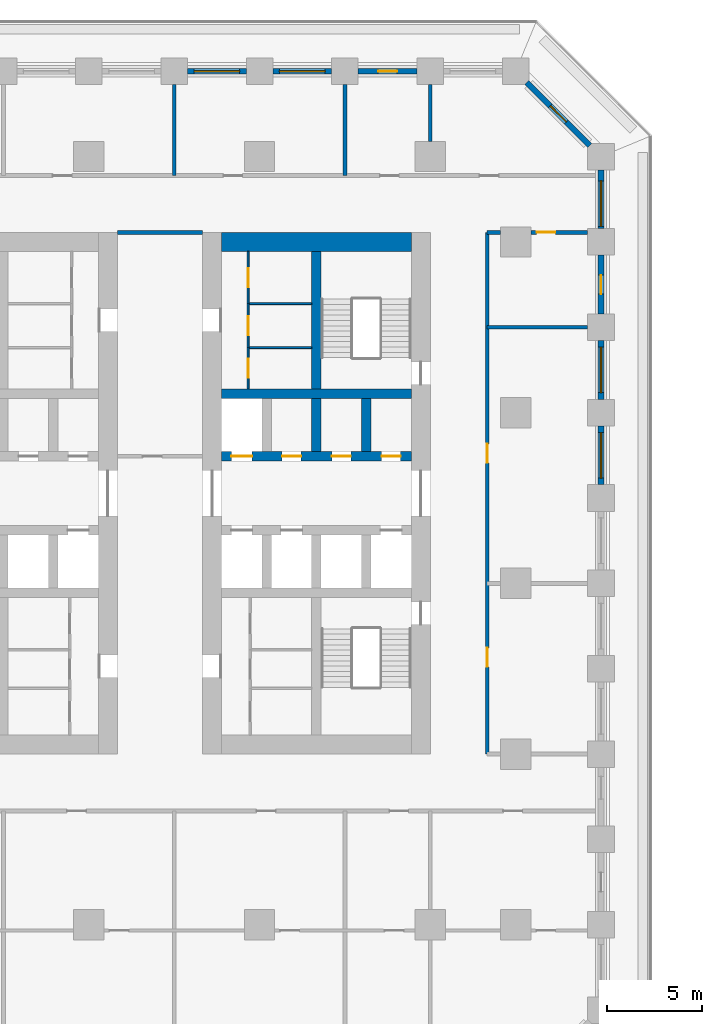
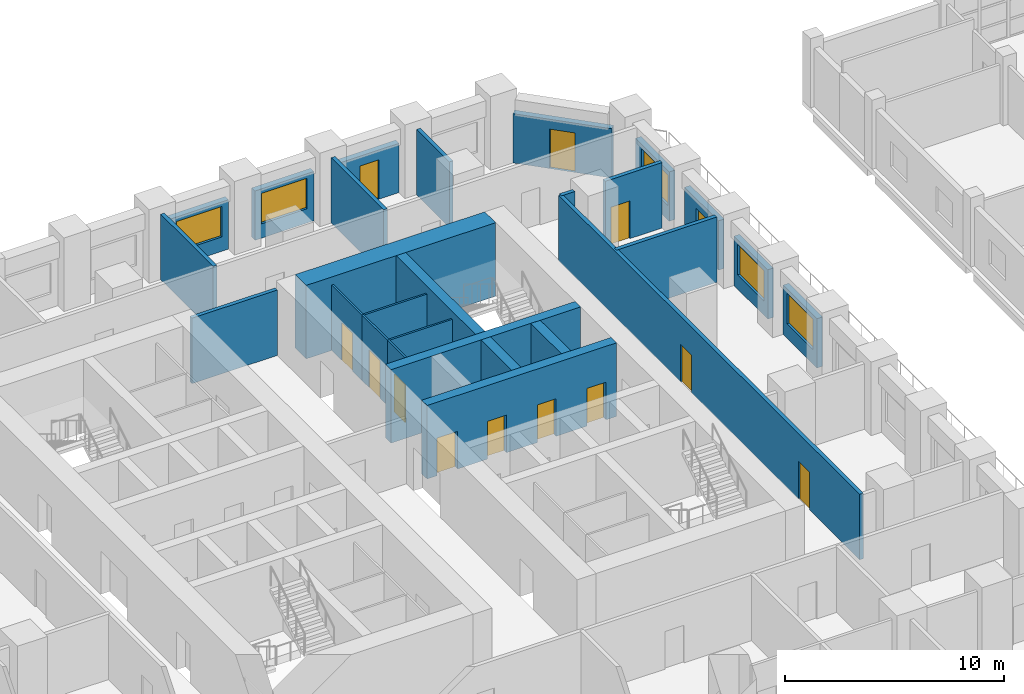
# One storey, part 30 of 42: 27 walls, 13 doors, 5 windows, 18 openings.
"""IFC4 building model written with IfcOpenShell, lengths in metres."""

from ifc_helpers import new_model, si_unit, direction, frame, frame_2d, origin, place, context, subcontext, project, spatial, rectangle, extrude, material, layer, layer_set, type_object, element, fill, save


model = new_model("IFC4")

# Units and contexts
model_context = context("Model", 3, precision=1e-05, world=origin(), true_north=direction((0.0, 1.0)))
body_context = subcontext(model_context, "Body", "Model", "MODEL_VIEW")
ifc_project = project(units=[si_unit("LENGTHUNIT", "METRE"), si_unit("AREAUNIT", "SQUARE_METRE"), si_unit("VOLUMEUNIT", "CUBIC_METRE"), si_unit("PLANEANGLEUNIT", "RADIAN"), si_unit("MASSUNIT", "GRAM", prefix="KILO")], contexts=[model_context])

# Site, building, storey
site_placement = place(None, origin())
site = spatial("IfcSite", under=ifc_project, at=site_placement, CompositionType="ELEMENT")
building_placement = place(site_placement, origin())
building = spatial("IfcBuilding", under=site, at=building_placement, Name="Corbel Stack Research Tower", CompositionType="ELEMENT")
storey_placement = place(building_placement, frame((0.0, 0.0, 11.300048828125)))
storey = spatial("IfcBuildingStorey", under=building, at=storey_placement, Name="L02", CompositionType="ELEMENT", Elevation=11.300048828125)

# Wall
ifc_material_1 = material(Name="Concrete C70/85", Category="concrete")
ifc_layer_1 = layer(ifc_material_1, 1.0)
ifc_layer_set_1 = layer_set([ifc_layer_1], Name="Concrete C70/85")
wall_type_1 = type_object("IfcWallType", Name="CW-1000-70", PredefinedType="SHEAR", material=ifc_layer_set_1)
wall_1_placement = place(storey_placement, frame((7.0, 18.0, 0.0), z_axis=(0.0, 0.0, 1.0), x_axis=(1.0, 0.0, 0.0)))
element("IfcWall", 1, at=wall_1_placement, inside=storey, type_object=wall_type_1, Name="East core wall, north end L02", PredefinedType="SHEAR", context=body_context, shape_type="SweptSolid", body=[
    extrude(rectangle(XDim=10.0, YDim=1.0, at=frame_2d((5.0, 0.0))), origin(), (0.0, 0.0, 1.0), 4.099853515625),
])

# Wall, openings, doors
ifc_material_2 = material(Name="Concrete C70/85", Category="concrete")
ifc_layer_2 = layer(ifc_material_2, 0.5)
ifc_layer_set_2 = layer_set([ifc_layer_2], Name="Concrete C70/85")
wall_type_2 = type_object("IfcWallType", Name="CW-500-70", PredefinedType="SHEAR", material=ifc_layer_set_2)
wall_2_placement = place(storey_placement, frame((7.0, 6.699951171875, 0.0), z_axis=(0.0, 0.0, 1.0), x_axis=(1.0, 0.0, 0.0)))
wall_2 = element("IfcWall", 2, at=wall_2_placement, inside=storey, type_object=wall_type_2, Name="East core wall, lobby north L02", PredefinedType="SHEAR", context=body_context, shape_type="SweptSolid", body=[
    extrude(rectangle(XDim=10.0, YDim=0.5, at=frame_2d((5.0, 0.0))), origin(), (0.0, 0.0, 1.0), 4.099853515625),
])
opening_1_placement = place(wall_2_placement, frame((0.512451171875, 0.0, 0.0)))
opening_1 = element("IfcOpeningElement", 3, at=opening_1_placement, cuts=wall_2, Name="Opening LD-LR4", PredefinedType="OPENING", context=body_context, shape_type="SweptSolid", body=[
    extrude(rectangle(XDim=1.10009765625, YDim=2.10009765625, at=frame_2d((0.550048828125, 1.050048828125))), frame((0.0, 0.260009765625, 0.0), z_axis=(0.0, -1.0, 0.0), x_axis=(1.0, 0.0, 0.0)), (0.0, 0.0, 1.0), 0.52001953125),
])
opening_2_placement = place(wall_2_placement, frame((3.1875, 0.0, 0.0)))
opening_2 = element("IfcOpeningElement", 4, at=opening_2_placement, cuts=wall_2, Name="Opening CR-E12-N2", PredefinedType="OPENING", context=body_context, shape_type="SweptSolid", body=[
    extrude(rectangle(XDim=1.0, YDim=2.10009765625, at=frame_2d((0.5, 1.050048828125))), frame((0.0, 0.260009765625, 0.0), z_axis=(0.0, -1.0, 0.0), x_axis=(1.0, 0.0, 0.0)), (0.0, 0.0, 1.0), 0.52001953125),
])
opening_3_placement = place(wall_2_placement, frame((5.8125, 0.0, 0.0)))
opening_3 = element("IfcOpeningElement", 5, at=opening_3_placement, cuts=wall_2, Name="Opening CR-E12-N3", PredefinedType="OPENING", context=body_context, shape_type="SweptSolid", body=[
    extrude(rectangle(XDim=1.0, YDim=2.10009765625, at=frame_2d((0.5, 1.050048828125))), frame((0.0, 0.260009765625, 0.0), z_axis=(0.0, -1.0, 0.0), x_axis=(1.0, 0.0, 0.0)), (0.0, 0.0, 1.0), 0.52001953125),
])
opening_4_placement = place(wall_2_placement, frame((8.4375, 0.0, 0.0)))
opening_4 = element("IfcOpeningElement", 6, at=opening_4_placement, cuts=wall_2, Name="Opening CR-E12-N4", PredefinedType="OPENING", context=body_context, shape_type="SweptSolid", body=[
    extrude(rectangle(XDim=1.0, YDim=2.10009765625, at=frame_2d((0.5, 1.050048828125))), frame((0.0, 0.260009765625, 0.0), z_axis=(0.0, -1.0, 0.0), x_axis=(1.0, 0.0, 0.0)), (0.0, 0.0, 1.0), 0.52001953125),
])
ifc_material_3 = material(Name="Stainless steel landing door", Category="steel")
door_type_1 = type_object("IfcDoorType", Name="Lift landing door 1100 x 2100", OperationType="DOUBLE_DOOR_SLIDING", PredefinedType="DOOR", material=ifc_material_3)
door_1_placement = place(opening_1_placement, origin())
door_1 = element("IfcDoor", 7, at=door_1_placement, inside=storey, type_object=door_type_1, Name="Landing door LR4", OperationType="DOUBLE_DOOR_SLIDING", OverallHeight=2.10009765625, OverallWidth=1.10009765625, PredefinedType="DOOR", context=body_context, shape_type="SweptSolid", body=[
    extrude(rectangle(XDim=1.10009765625, YDim=2.10009765625, at=frame_2d((0.550048828125, 1.050048828125))), frame((0.0, 0.02490234375, 0.0), z_axis=(0.0, -1.0, 0.0), x_axis=(1.0, 0.0, 0.0)), (0.0, 0.0, 1.0), 0.050048828125),
])
fill(opening_1, door_1)
ifc_material_4 = material(Name="Painted steel door", Category="steel")
door_type_2 = type_object("IfcDoorType", Name="Service door 1000 x 2100 FD60 left hand", OperationType="SINGLE_SWING_LEFT", PredefinedType="DOOR", material=ifc_material_4)
door_2_placement = place(opening_3_placement, origin())
door_2 = element("IfcDoor", 8, at=door_2_placement, inside=storey, type_object=door_type_2, Name="Electrical room door E core", OperationType="SINGLE_SWING_LEFT", OverallHeight=2.10009765625, OverallWidth=1.0, PredefinedType="DOOR", context=body_context, shape_type="SweptSolid", body=[
    extrude(rectangle(XDim=1.0, YDim=2.10009765625, at=frame_2d((0.5, 1.050048828125))), frame((0.0, 0.02490234375, 0.0), z_axis=(0.0, -1.0, 0.0), x_axis=(1.0, 0.0, 0.0)), (0.0, 0.0, 1.0), 0.050048828125),
])
fill(opening_3, door_2)
ifc_material_5 = material(Name="Painted steel door", Category="steel")
door_type_3 = type_object("IfcDoorType", Name="Service door 1000 x 2100 FD60 right hand", OperationType="SINGLE_SWING_RIGHT", PredefinedType="DOOR", material=ifc_material_5)
door_3_placement = place(opening_2_placement, origin())
door_3 = element("IfcDoor", 9, at=door_3_placement, inside=storey, type_object=door_type_3, Name="Records store door E core", OperationType="SINGLE_SWING_RIGHT", OverallHeight=2.10009765625, OverallWidth=1.0, PredefinedType="DOOR", context=body_context, shape_type="SweptSolid", body=[
    extrude(rectangle(XDim=1.0, YDim=2.10009765625, at=frame_2d((0.5, 1.050048828125))), frame((0.0, 0.02490234375, 0.0), z_axis=(0.0, -1.0, 0.0), x_axis=(1.0, 0.0, 0.0)), (0.0, 0.0, 1.0), 0.050048828125),
])
fill(opening_2, door_3)
door_4_placement = place(opening_4_placement, origin())
door_4 = element("IfcDoor", 10, at=door_4_placement, inside=storey, type_object=door_type_3, Name="Pantry door E core", OperationType="SINGLE_SWING_RIGHT", OverallHeight=2.10009765625, OverallWidth=1.0, PredefinedType="DOOR", context=body_context, shape_type="SweptSolid", body=[
    extrude(rectangle(XDim=1.0, YDim=2.10009765625, at=frame_2d((0.5, 1.050048828125))), frame((0.0, 0.02490234375, 0.0), z_axis=(0.0, -1.0, 0.0), x_axis=(1.0, 0.0, 0.0)), (0.0, 0.0, 1.0), 0.050048828125),
])
fill(opening_4, door_4)

# Walls
wall_3_placement = place(storey_placement, frame((7.0, 10.0, 0.0), z_axis=(0.0, 0.0, 1.0), x_axis=(1.0, 0.0, 0.0)))
element("IfcWall", 11, at=wall_3_placement, inside=storey, type_object=wall_type_2, Name="East core wall, north row back L02", PredefinedType="SHEAR", context=body_context, shape_type="SweptSolid", body=[
    extrude(rectangle(XDim=10.0, YDim=0.5, at=frame_2d((5.0, 0.0))), origin(), (0.0, 0.0, 1.0), 4.099853515625),
])
for number, where, z_axis, x_axis, name in (
    (12, (12.0, 6.949951171875, 0.0), (0.0, 0.0, 1.0), (0.0, 1.0, 0.0), "East core wall, north shaft 2 L02"),
    (13, (14.625, 6.949951171875, 0.0), (0.0, 0.0, 1.0), (0.0, 1.0, 0.0), "East core wall, north shaft 3 L02"),
):
    element("IfcWall", number, at=place(storey_placement, frame(where, z_axis=z_axis, x_axis=x_axis)), inside=storey, type_object=wall_type_2, Name=name, PredefinedType="SHEAR", context=body_context, shape_type="SweptSolid", body=[
        extrude(rectangle(XDim=2.800048828125, YDim=0.5, at=frame_2d((1.39990234375, 0.0))), origin(), (0.0, 0.0, 1.0), 4.099853515625),
    ])
wall_4_placement = place(storey_placement, frame((12.0, 10.25, 0.0), z_axis=(0.0, 0.0, 1.0), x_axis=(0.0, 1.0, 0.0)))
element("IfcWall", 14, at=wall_4_placement, inside=storey, type_object=wall_type_2, Name="East core wall, north stair and riser L02", PredefinedType="SHEAR", context=body_context, shape_type="SweptSolid", body=[
    extrude(rectangle(XDim=7.25, YDim=0.5, at=frame_2d((3.625, 0.0))), origin(), (0.0, 0.0, 1.0), 4.099853515625),
])

# Wall, opening, door
ifc_material_6 = material(Name="Gypsum board")
ifc_layer_3 = layer(ifc_material_6, 0.10009765625)
ifc_layer_set_3 = layer_set([ifc_layer_3], Name="Gypsum board")
wall_type_3 = type_object("IfcWallType", Name="Core partition 100", PredefinedType="PARTITIONING", material=ifc_layer_set_3)
wall_5_placement = place(storey_placement, frame((8.39990234375, 10.25, 0.0), z_axis=(0.0, 0.0, 1.0), x_axis=(0.0, 1.0, 0.0)))
wall_5 = element("IfcWall", 15, at=wall_5_placement, inside=storey, type_object=wall_type_3, Name="Core partition E", PredefinedType="PARTITIONING", context=body_context, shape_type="SweptSolid", body=[
    extrude(rectangle(XDim=2.175048828125, YDim=0.10009765625, at=frame_2d((1.08740234375, 0.0))), origin(), (0.0, 0.0, 1.0), 3.64990234375),
])
opening_5_placement = place(wall_5_placement, frame((0.58740234375, 0.0, 0.0)))
opening_5 = element("IfcOpeningElement", 16, at=opening_5_placement, cuts=wall_5, Name="Opening CR-E12-R2-1000", PredefinedType="OPENING", context=body_context, shape_type="SweptSolid", body=[
    extrude(rectangle(XDim=1.0, YDim=2.10009765625, at=frame_2d((0.5, 1.050048828125))), frame((0.0, 0.06005859375, 0.0), z_axis=(0.0, -1.0, 0.0), x_axis=(1.0, 0.0, 0.0)), (0.0, 0.0, 1.0), 0.1201171875),
])
ifc_material_7 = material(Name="Painted steel door", Category="steel")
door_type_4 = type_object("IfcDoorType", Name="Riser door 1000 x 2100 FD60 left hand", OperationType="SINGLE_SWING_LEFT", PredefinedType="DOOR", material=ifc_material_7)
door_5_placement = place(opening_5_placement, origin())
door_5 = element("IfcDoor", 17, at=door_5_placement, inside=storey, type_object=door_type_4, Name="Mechanical riser door E core", OperationType="SINGLE_SWING_LEFT", OverallHeight=2.10009765625, OverallWidth=1.0, PredefinedType="DOOR", context=body_context, shape_type="SweptSolid", body=[
    extrude(rectangle(XDim=1.0, YDim=2.10009765625, at=frame_2d((0.5, 1.050048828125))), frame((0.0, 0.02490234375, 0.0), z_axis=(0.0, -1.0, 0.0), x_axis=(1.0, 0.0, 0.0)), (0.0, 0.0, 1.0), 0.050048828125),
])
fill(opening_5, door_5)

wall_6_placement = place(storey_placement, frame((8.39990234375, 12.425048828125, 0.0), z_axis=(0.0, 0.0, 1.0), x_axis=(0.0, 1.0, 0.0)))
wall_6 = element("IfcWall", 18, at=wall_6_placement, inside=storey, type_object=wall_type_3, Name="Core partition E", PredefinedType="PARTITIONING", context=body_context, shape_type="SweptSolid", body=[
    extrude(rectangle(XDim=2.320068359375, YDim=0.10009765625, at=frame_2d((1.16015625, 0.0))), origin(), (0.0, 0.0, 1.0), 3.64990234375),
])
opening_6_placement = place(wall_6_placement, frame((0.659912109375, 0.0, 0.0)))
opening_6 = element("IfcOpeningElement", 19, at=opening_6_placement, cuts=wall_6, Name="Opening CR-E12-R3-1000", PredefinedType="OPENING", context=body_context, shape_type="SweptSolid", body=[
    extrude(rectangle(XDim=1.0, YDim=2.10009765625, at=frame_2d((0.5, 1.050048828125))), frame((0.0, 0.06005859375, 0.0), z_axis=(0.0, -1.0, 0.0), x_axis=(1.0, 0.0, 0.0)), (0.0, 0.0, 1.0), 0.1201171875),
])
ifc_material_8 = material(Name="Painted steel door", Category="steel")
door_type_5 = type_object("IfcDoorType", Name="Service door 1000 x 2100 FD30 right hand", OperationType="SINGLE_SWING_RIGHT", PredefinedType="DOOR", material=ifc_material_8)
door_6_placement = place(opening_6_placement, origin())
door_6 = element("IfcDoor", 20, at=door_6_placement, inside=storey, type_object=door_type_5, Name="Pantry door E core", OperationType="SINGLE_SWING_RIGHT", OverallHeight=2.10009765625, OverallWidth=1.0, PredefinedType="DOOR", context=body_context, shape_type="SweptSolid", body=[
    extrude(rectangle(XDim=1.0, YDim=2.10009765625, at=frame_2d((0.5, 1.050048828125))), frame((0.0, 0.02490234375, 0.0), z_axis=(0.0, -1.0, 0.0), x_axis=(1.0, 0.0, 0.0)), (0.0, 0.0, 1.0), 0.050048828125),
])
fill(opening_6, door_6)

wall_7_placement = place(storey_placement, frame((8.39990234375, 14.7451171875, 0.0), z_axis=(0.0, 0.0, 1.0), x_axis=(0.0, 1.0, 0.0)))
wall_7 = element("IfcWall", 21, at=wall_7_placement, inside=storey, type_object=wall_type_3, Name="Core partition E", PredefinedType="PARTITIONING", context=body_context, shape_type="SweptSolid", body=[
    extrude(rectangle(XDim=2.7548828125, YDim=0.10009765625, at=frame_2d((1.37744140625, 0.0))), origin(), (0.0, 0.0, 1.0), 3.64990234375),
])
opening_7_placement = place(wall_7_placement, frame((0.87744140625, 0.0, 0.0)))
opening_7 = element("IfcOpeningElement", 22, at=opening_7_placement, cuts=wall_7, Name="Opening CR-E12-R4-1000", PredefinedType="OPENING", context=body_context, shape_type="SweptSolid", body=[
    extrude(rectangle(XDim=1.0, YDim=2.10009765625, at=frame_2d((0.5, 1.050048828125))), frame((0.0, 0.06005859375, 0.0), z_axis=(0.0, -1.0, 0.0), x_axis=(1.0, 0.0, 0.0)), (0.0, 0.0, 1.0), 0.1201171875),
])
door_7_placement = place(opening_7_placement, origin())
door_7 = element("IfcDoor", 23, at=door_7_placement, inside=storey, type_object=door_type_4, Name="Electrical riser door E core", OperationType="SINGLE_SWING_LEFT", OverallHeight=2.10009765625, OverallWidth=1.0, PredefinedType="DOOR", context=body_context, shape_type="SweptSolid", body=[
    extrude(rectangle(XDim=1.0, YDim=2.10009765625, at=frame_2d((0.5, 1.050048828125))), frame((0.0, 0.02490234375, 0.0), z_axis=(0.0, -1.0, 0.0), x_axis=(1.0, 0.0, 0.0)), (0.0, 0.0, 1.0), 0.050048828125),
])
fill(opening_7, door_7)

# Walls
for number, where, z_axis, x_axis, name in (
    (24, (8.39990234375, 12.425048828125, 0.0), (0.0, 0.0, 1.0), (1.0, 0.0, 0.0), "Core partition E"),
    (25, (8.39990234375, 14.7451171875, 0.0), (0.0, 0.0, 1.0), (1.0, 0.0, 0.0), "Core partition E"),
):
    element("IfcWall", number, at=place(storey_placement, frame(where, z_axis=z_axis, x_axis=x_axis)), inside=storey, type_object=wall_type_3, Name=name, PredefinedType="PARTITIONING", context=body_context, shape_type="SweptSolid", body=[
        extrude(rectangle(XDim=3.35009765625, YDim=0.10009765625, at=frame_2d((1.675048828125, 0.0))), origin(), (0.0, 0.0, 1.0), 3.64990234375),
    ])
ifc_material_9 = material(Name="Fire-rated gypsum board partition on steel studs", Category="steel")
ifc_layer_4 = layer(ifc_material_9, 0.199951171875)
ifc_layer_set_4 = layer_set([ifc_layer_4], Name="Fire-rated gypsum board partition on steel studs")
wall_type_4 = type_object("IfcWallType", Name="Fire-rated partition 200 EI 60", PredefinedType="PARTITIONING", material=ifc_layer_set_4)
for number, where, z_axis, x_axis, name in (
    (26, (4.5, 21.5, 0.0), (0.0, 0.0, 1.0), (0.0, 1.0, 0.0), "Partition L02-009"),
    (27, (13.5, 21.5, 0.0), (0.0, 0.0, 1.0), (0.0, 1.0, 0.0), "Partition L02-011"),
):
    element("IfcWall", number, at=place(storey_placement, frame(where, z_axis=z_axis, x_axis=x_axis)), inside=storey, type_object=wall_type_4, Name=name, PredefinedType="PARTITIONING", context=body_context, shape_type="SweptSolid", body=[
        extrude(rectangle(XDim=4.800048828125, YDim=0.199951171875, at=frame_2d((2.39990234375, 0.0))), origin(), (0.0, 0.0, 1.0), 3.64990234375),
    ])
wall_8_placement = place(storey_placement, frame((18.0, 23.300048828125, 0.0), z_axis=(0.0, 0.0, 1.0), x_axis=(0.0, 1.0, 0.0)))
element("IfcWall", 28, at=wall_8_placement, inside=storey, type_object=wall_type_4, Name="Partition L02-014", PredefinedType="PARTITIONING", context=body_context, shape_type="SweptSolid", body=[
    extrude(rectangle(XDim=3.0, YDim=0.199951171875, at=frame_2d((1.5, 0.0))), origin(), (0.0, 0.0, 1.0), 3.64990234375),
])

# Wall, openings, doors
wall_9_placement = place(storey_placement, frame((21.0, 18.5, 0.0), z_axis=(0.0, 0.0, 1.0), x_axis=(0.0, -1.0, 0.0)))
wall_9 = element("IfcWall", 29, at=wall_9_placement, inside=storey, type_object=wall_type_4, Name="Partition L02-015", PredefinedType="PARTITIONING", context=body_context, shape_type="SweptSolid", body=[
    extrude(rectangle(XDim=27.5, YDim=0.199951171875, at=frame_2d((13.75, 0.0))), origin(), (0.0, 0.0, 1.0), 3.64990234375),
])
opening_8_placement = place(wall_9_placement, frame((21.89990234375, 0.0, 0.0)))
opening_8 = element("IfcOpeningElement", 30, at=opening_8_placement, cuts=wall_9, Name="Opening B1V0-021", PredefinedType="OPENING", context=body_context, shape_type="SweptSolid", body=[
    extrude(rectangle(XDim=1.0, YDim=2.10009765625, at=frame_2d((0.5, 1.050048828125))), frame((0.0, 0.10986328125, 0.0), z_axis=(0.0, -1.0, 0.0), x_axis=(1.0, 0.0, 0.0)), (0.0, 0.0, 1.0), 0.219970703125),
])
opening_9_placement = place(wall_9_placement, frame((11.14990234375, 0.0, 0.0)))
opening_9 = element("IfcOpeningElement", 31, at=opening_9_placement, cuts=wall_9, Name="Opening B1V0-022", PredefinedType="OPENING", context=body_context, shape_type="SweptSolid", body=[
    extrude(rectangle(XDim=1.0, YDim=2.10009765625, at=frame_2d((0.5, 1.050048828125))), frame((0.0, 0.10986328125, 0.0), z_axis=(0.0, -1.0, 0.0), x_axis=(1.0, 0.0, 0.0)), (0.0, 0.0, 1.0), 0.219970703125),
])
ifc_material_10 = material(Name="Painted steel fire door", Category="steel")
door_type_6 = type_object("IfcDoorType", Name="Fire door FD30S 1000 x 2100", OperationType="NOTDEFINED", PredefinedType="DOOR", material=ifc_material_10)
door_8_placement = place(opening_8_placement, origin())
door_8 = element("IfcDoor", 32, at=door_8_placement, inside=storey, type_object=door_type_6, Name="Door B1V0-021", OperationType="SINGLE_SWING_RIGHT", OverallHeight=2.10009765625, OverallWidth=1.0, PredefinedType="DOOR", context=body_context, shape_type="SweptSolid", body=[
    extrude(rectangle(XDim=1.0, YDim=2.10009765625, at=frame_2d((0.5, 1.050048828125))), frame((0.0, 0.02490234375, 0.0), z_axis=(0.0, -1.0, 0.0), x_axis=(1.0, 0.0, 0.0)), (0.0, 0.0, 1.0), 0.050048828125),
])
fill(opening_8, door_8)
door_9_placement = place(opening_9_placement, origin())
door_9 = element("IfcDoor", 33, at=door_9_placement, inside=storey, type_object=door_type_6, Name="Door B1V0-022", OperationType="SINGLE_SWING_LEFT", OverallHeight=2.10009765625, OverallWidth=1.0, PredefinedType="DOOR", context=body_context, shape_type="SweptSolid", body=[
    extrude(rectangle(XDim=1.0, YDim=2.10009765625, at=frame_2d((0.5, 1.050048828125))), frame((0.0, 0.02490234375, 0.0), z_axis=(0.0, -1.0, 0.0), x_axis=(1.0, 0.0, 0.0)), (0.0, 0.0, 1.0), 0.050048828125),
])
fill(opening_9, door_9)

# Walls
wall_10_placement = place(storey_placement, frame((21.0, 13.5, 0.0), z_axis=(0.0, 0.0, 1.0), x_axis=(1.0, 0.0, 0.0)))
element("IfcWall", 34, at=wall_10_placement, inside=storey, type_object=wall_type_4, Name="Partition L02-034", PredefinedType="PARTITIONING", context=body_context, shape_type="SweptSolid", body=[
    extrude(rectangle(XDim=5.300048828125, YDim=0.199951171875, at=frame_2d((2.64990234375, 0.0))), origin(), (0.0, 0.0, 1.0), 3.64990234375),
])
wall_11_placement = place(storey_placement, frame((1.5, 18.5, 0.0), z_axis=(0.0, 0.0, 1.0), x_axis=(1.0, 0.0, 0.0)))
element("IfcWall", 35, at=wall_11_placement, inside=storey, type_object=wall_type_4, Name="Partition L02-037", PredefinedType="PARTITIONING", context=body_context, shape_type="SweptSolid", body=[
    extrude(rectangle(XDim=4.5, YDim=0.199951171875, at=frame_2d((2.25, 0.0))), origin(), (0.0, 0.0, 1.0), 3.64990234375),
])
wall_12_placement = place(storey_placement, frame((21.0, 18.5, 0.0), z_axis=(0.0, 0.0, 1.0), x_axis=(1.0, 0.0, 0.0)))
element("IfcWall", 36, at=wall_12_placement, inside=storey, type_object=wall_type_4, Name="Partition L02-038", PredefinedType="PARTITIONING", context=body_context, shape_type="SweptSolid", body=[
    extrude(rectangle(XDim=0.699951171875, YDim=0.199951171875, at=frame_2d((0.35009765625, 0.0))), origin(), (0.0, 0.0, 1.0), 3.64990234375),
])

# Wall, opening, door
wall_13_placement = place(storey_placement, frame((26.300048828125, 18.5, 0.0), z_axis=(0.0, 0.0, 1.0), x_axis=(-1.0, 0.0, 0.0)))
wall_13 = element("IfcWall", 37, at=wall_13_placement, inside=storey, type_object=wall_type_4, Name="Partition L02-039", PredefinedType="PARTITIONING", context=body_context, shape_type="SweptSolid", body=[
    extrude(rectangle(XDim=3.0, YDim=0.199951171875, at=frame_2d((1.5, 0.0))), origin(), (0.0, 0.0, 1.0), 3.64990234375),
])
opening_10_placement = place(wall_13_placement, frame((1.699951171875, 0.0, 0.0)))
opening_10 = element("IfcOpeningElement", 38, at=opening_10_placement, cuts=wall_13, Name="Opening B1V0-020", PredefinedType="OPENING", context=body_context, shape_type="SweptSolid", body=[
    extrude(rectangle(XDim=1.0, YDim=2.10009765625, at=frame_2d((0.5, 1.050048828125))), frame((0.0, 0.10986328125, 0.0), z_axis=(0.0, -1.0, 0.0), x_axis=(1.0, 0.0, 0.0)), (0.0, 0.0, 1.0), 0.219970703125),
])
door_10_placement = place(opening_10_placement, origin())
door_10 = element("IfcDoor", 39, at=door_10_placement, inside=storey, type_object=door_type_6, Name="Door B1V0-020", OperationType="SINGLE_SWING_RIGHT", OverallHeight=2.10009765625, OverallWidth=1.0, PredefinedType="DOOR", context=body_context, shape_type="SweptSolid", body=[
    extrude(rectangle(XDim=1.0, YDim=2.10009765625, at=frame_2d((0.5, 1.050048828125))), frame((0.0, 0.02490234375, 0.0), z_axis=(0.0, -1.0, 0.0), x_axis=(1.0, 0.0, 0.0)), (0.0, 0.0, 1.0), 0.050048828125),
])
fill(opening_10, door_10)

# Wall, opening, window
ifc_material_11 = material(Name="Concrete C45/55", Category="concrete")
ifc_layer_5 = layer(ifc_material_11, 0.300048828125)
ifc_layer_set_5 = layer_set([ifc_layer_5], Name="Concrete C45/55")
wall_type_5 = type_object("IfcWallType", Name="Terracotta-faced concrete wall 300", PredefinedType="SOLIDWALL", material=ifc_layer_set_5)
wall_14_placement = place(storey_placement, frame((27.0, 8.300048828125, 0.0), z_axis=(0.0, 0.0, 1.0), x_axis=(0.0, -1.0, 0.0)))
wall_14 = element("IfcWall", 40, at=wall_14_placement, inside=storey, type_object=wall_type_5, Name="Facade wall L02 E07", PredefinedType="SOLIDWALL", context=body_context, shape_type="SweptSolid", body=[
    extrude(rectangle(XDim=3.10009765625, YDim=0.300048828125, at=frame_2d((1.550048828125, 0.0))), origin(), (0.0, 0.0, 1.0), 2.75),
])
opening_11_placement = place(wall_14_placement, frame((0.35009765625, 0.0, 0.800048828125)))
opening_11 = element("IfcOpeningElement", 41, at=opening_11_placement, cuts=wall_14, Name="Opening W1", PredefinedType="OPENING", context=body_context, shape_type="SweptSolid", body=[
    extrude(rectangle(XDim=2.39990234375, YDim=1.699951171875, at=frame_2d((1.199951171875, 0.85009765625))), frame((0.0, 0.159912109375, 0.0), z_axis=(0.0, -1.0, 0.0), x_axis=(1.0, 0.0, 0.0)), (0.0, 0.0, 1.0), 0.320068359375),
])
ifc_material_12 = material(Name="Aluminium frame, clear double glazing", Category="aluminium")
window_type = type_object("IfcWindowType", Name="Window W1 2400 x 1700", PartitioningType="SINGLE_PANEL", PredefinedType="WINDOW", material=ifc_material_12)
window_1_placement = place(opening_11_placement, origin())
window_1 = element("IfcWindow", 42, at=window_1_placement, inside=storey, type_object=window_type, Name="Window W1 L02 E07", OverallHeight=1.699951171875, OverallWidth=2.39990234375, PartitioningType="SINGLE_PANEL", PredefinedType="WINDOW", context=body_context, shape_type="SweptSolid", body=[
    extrude(rectangle(XDim=2.39990234375, YDim=1.699951171875, at=frame_2d((1.199951171875, 0.85009765625))), frame((0.0, 0.030029296875, 0.0), z_axis=(0.0, -1.0, 0.0), x_axis=(1.0, 0.0, 0.0)), (0.0, 0.0, 1.0), 0.06005859375),
])
fill(opening_11, window_1)

wall_15_placement = place(storey_placement, frame((27.0, 12.800048828125, 0.0), z_axis=(0.0, 0.0, 1.0), x_axis=(0.0, -1.0, 0.0)))
wall_15 = element("IfcWall", 43, at=wall_15_placement, inside=storey, type_object=wall_type_5, Name="Facade wall L02 E08", PredefinedType="SOLIDWALL", context=body_context, shape_type="SweptSolid", body=[
    extrude(rectangle(XDim=3.10009765625, YDim=0.300048828125, at=frame_2d((1.550048828125, 0.0))), origin(), (0.0, 0.0, 1.0), 2.75),
])
opening_12_placement = place(wall_15_placement, frame((0.35009765625, 0.0, 0.800048828125)))
opening_12 = element("IfcOpeningElement", 44, at=opening_12_placement, cuts=wall_15, Name="Opening W1", PredefinedType="OPENING", context=body_context, shape_type="SweptSolid", body=[
    extrude(rectangle(XDim=2.39990234375, YDim=1.699951171875, at=frame_2d((1.199951171875, 0.85009765625))), frame((0.0, 0.159912109375, 0.0), z_axis=(0.0, -1.0, 0.0), x_axis=(1.0, 0.0, 0.0)), (0.0, 0.0, 1.0), 0.320068359375),
])
window_2_placement = place(opening_12_placement, origin())
window_2 = element("IfcWindow", 45, at=window_2_placement, inside=storey, type_object=window_type, Name="Window W1 L02 E08", OverallHeight=1.699951171875, OverallWidth=2.39990234375, PartitioningType="SINGLE_PANEL", PredefinedType="WINDOW", context=body_context, shape_type="SweptSolid", body=[
    extrude(rectangle(XDim=2.39990234375, YDim=1.699951171875, at=frame_2d((1.199951171875, 0.85009765625))), frame((0.0, 0.030029296875, 0.0), z_axis=(0.0, -1.0, 0.0), x_axis=(1.0, 0.0, 0.0)), (0.0, 0.0, 1.0), 0.06005859375),
])
fill(opening_12, window_2)

# Wall, opening, door
wall_16_placement = place(storey_placement, frame((27.0, 17.300048828125, 0.0), z_axis=(0.0, 0.0, 1.0), x_axis=(0.0, -1.0, 0.0)))
wall_16 = element("IfcWall", 46, at=wall_16_placement, inside=storey, type_object=wall_type_5, Name="Facade wall L02 E09", PredefinedType="SOLIDWALL", context=body_context, shape_type="SweptSolid", body=[
    extrude(rectangle(XDim=3.10009765625, YDim=0.300048828125, at=frame_2d((1.550048828125, 0.0))), origin(), (0.0, 0.0, 1.0), 2.75),
])
opening_13_placement = place(wall_16_placement, frame((1.050048828125, 0.0, 0.0)))
opening_13 = element("IfcOpeningElement", 47, at=opening_13_placement, cuts=wall_16, Name="Opening L02-B05", PredefinedType="OPENING", context=body_context, shape_type="SweptSolid", body=[
    extrude(rectangle(XDim=1.0, YDim=2.199951171875, at=frame_2d((0.5, 1.10009765625))), frame((0.0, 0.159912109375, 0.0), z_axis=(0.0, -1.0, 0.0), x_axis=(1.0, 0.0, 0.0)), (0.0, 0.0, 1.0), 0.320068359375),
])
ifc_material_13 = material(Name="Aluminium frame, clear double glazing", Category="aluminium")
door_type_7 = type_object("IfcDoorType", Name="Balcony door BD1 1000 x 2200", OperationType="NOTDEFINED", PredefinedType="DOOR", material=ifc_material_13)
door_11_placement = place(opening_13_placement, origin())
door_11 = element("IfcDoor", 48, at=door_11_placement, inside=storey, type_object=door_type_7, Name="Balcony door L02-B05", OperationType="SINGLE_SWING_LEFT", OverallHeight=2.199951171875, OverallWidth=1.0, PredefinedType="DOOR", context=body_context, shape_type="SweptSolid", body=[
    extrude(rectangle(XDim=1.0, YDim=2.199951171875, at=frame_2d((0.5, 1.10009765625))), frame((0.0, 0.02490234375, 0.0), z_axis=(0.0, -1.0, 0.0), x_axis=(1.0, 0.0, 0.0)), (0.0, 0.0, 1.0), 0.050048828125),
])
fill(opening_13, door_11)

# Wall, opening, window
wall_17_placement = place(storey_placement, frame((27.0, 21.800048828125, 0.0), z_axis=(0.0, 0.0, 1.0), x_axis=(0.0, -1.0, 0.0)))
wall_17 = element("IfcWall", 49, at=wall_17_placement, inside=storey, type_object=wall_type_5, Name="Facade wall L02 E10", PredefinedType="SOLIDWALL", context=body_context, shape_type="SweptSolid", body=[
    extrude(rectangle(XDim=3.10009765625, YDim=0.300048828125, at=frame_2d((1.550048828125, 0.0))), origin(), (0.0, 0.0, 1.0), 2.75),
])
opening_14_placement = place(wall_17_placement, frame((0.574951171875, 0.0, 0.800048828125)))
opening_14 = element("IfcOpeningElement", 50, at=opening_14_placement, cuts=wall_17, Name="Opening W1", PredefinedType="OPENING", context=body_context, shape_type="SweptSolid", body=[
    extrude(rectangle(XDim=2.39990234375, YDim=1.699951171875, at=frame_2d((1.199951171875, 0.85009765625))), frame((0.0, 0.159912109375, 0.0), z_axis=(0.0, -1.0, 0.0), x_axis=(1.0, 0.0, 0.0)), (0.0, 0.0, 1.0), 0.320068359375),
])
window_3_placement = place(opening_14_placement, origin())
window_3 = element("IfcWindow", 51, at=window_3_placement, inside=storey, type_object=window_type, Name="Window W1 L02 E10", OverallHeight=1.699951171875, OverallWidth=2.39990234375, PartitioningType="SINGLE_PANEL", PredefinedType="WINDOW", context=body_context, shape_type="SweptSolid", body=[
    extrude(rectangle(XDim=2.39990234375, YDim=1.699951171875, at=frame_2d((1.199951171875, 0.85009765625))), frame((0.0, 0.030029296875, 0.0), z_axis=(0.0, -1.0, 0.0), x_axis=(1.0, 0.0, 0.0)), (0.0, 0.0, 1.0), 0.06005859375),
])
fill(opening_14, window_3)

# Wall, opening, door
wall_18_placement = place(storey_placement, frame((23.093994140625, 26.406005859375, 0.0), z_axis=(0.0, 0.0, 1.0), x_axis=(0.707106781187, -0.707106781187, 0.0)))
wall_18 = element("IfcWall", 52, at=wall_18_placement, inside=storey, type_object=wall_type_5, Name="Facade wall L02 NE01", PredefinedType="SOLIDWALL", context=body_context, shape_type="SweptSolid", body=[
    extrude(rectangle(XDim=4.683837890625, YDim=0.300048828125, at=frame_2d((2.341796875, 0.0))), origin(), (0.0, 0.0, 1.0), 2.75),
])
opening_15_placement = place(wall_18_placement, frame((1.741943359375, 0.0, 0.0)))
opening_15 = element("IfcOpeningElement", 53, at=opening_15_placement, cuts=wall_18, Name="Opening L02-B06", PredefinedType="OPENING", context=body_context, shape_type="SweptSolid", body=[
    extrude(rectangle(XDim=1.199951171875, YDim=2.199951171875, at=frame_2d((0.60009765625, 1.10009765625))), frame((0.0, 0.159912109375, 0.0), z_axis=(0.0, -1.0, 0.0), x_axis=(1.0, 0.0, 0.0)), (0.0, 0.0, 1.0), 0.320068359375),
])
ifc_material_14 = material(Name="Aluminium frame, clear double glazing", Category="aluminium")
door_type_8 = type_object("IfcDoorType", Name="Balcony door BD2 1200 x 2200", OperationType="NOTDEFINED", PredefinedType="DOOR", material=ifc_material_14)
door_12_placement = place(opening_15_placement, origin())
door_12 = element("IfcDoor", 54, at=door_12_placement, inside=storey, type_object=door_type_8, Name="Balcony door L02-B06", OperationType="SINGLE_SWING_LEFT", OverallHeight=2.199951171875, OverallWidth=1.199951171875, PredefinedType="DOOR", context=body_context, shape_type="SweptSolid", body=[
    extrude(rectangle(XDim=1.199951171875, YDim=2.199951171875, at=frame_2d((0.60009765625, 1.10009765625))), frame((0.0, 0.02490234375, 0.0), z_axis=(0.0, -1.0, 0.0), x_axis=(1.0, 0.0, 0.0)), (0.0, 0.0, 1.0), 0.050048828125),
])
fill(opening_15, door_12)

wall_19_placement = place(storey_placement, frame((14.199951171875, 27.0, 0.0), z_axis=(0.0, 0.0, 1.0), x_axis=(1.0, 0.0, 0.0)))
wall_19 = element("IfcWall", 55, at=wall_19_placement, inside=storey, type_object=wall_type_5, Name="Facade wall L02 N02", PredefinedType="SOLIDWALL", context=body_context, shape_type="SweptSolid", body=[
    extrude(rectangle(XDim=3.10009765625, YDim=0.300048828125, at=frame_2d((1.550048828125, 0.0))), origin(), (0.0, 0.0, 1.0), 2.75),
])
opening_16_placement = place(wall_19_placement, frame((1.050048828125, 0.0, 0.0)))
opening_16 = element("IfcOpeningElement", 56, at=opening_16_placement, cuts=wall_19, Name="Opening L02-B07", PredefinedType="OPENING", context=body_context, shape_type="SweptSolid", body=[
    extrude(rectangle(XDim=1.0, YDim=2.199951171875, at=frame_2d((0.5, 1.10009765625))), frame((0.0, 0.159912109375, 0.0), z_axis=(0.0, -1.0, 0.0), x_axis=(1.0, 0.0, 0.0)), (0.0, 0.0, 1.0), 0.320068359375),
])
door_13_placement = place(opening_16_placement, origin())
door_13 = element("IfcDoor", 57, at=door_13_placement, inside=storey, type_object=door_type_7, Name="Balcony door L02-B07", OperationType="SINGLE_SWING_RIGHT", OverallHeight=2.199951171875, OverallWidth=1.0, PredefinedType="DOOR", context=body_context, shape_type="SweptSolid", body=[
    extrude(rectangle(XDim=1.0, YDim=2.199951171875, at=frame_2d((0.5, 1.10009765625))), frame((0.0, 0.02490234375, 0.0), z_axis=(0.0, -1.0, 0.0), x_axis=(1.0, 0.0, 0.0)), (0.0, 0.0, 1.0), 0.050048828125),
])
fill(opening_16, door_13)

# Wall, opening, window
wall_20_placement = place(storey_placement, frame((9.699951171875, 27.0, 0.0), z_axis=(0.0, 0.0, 1.0), x_axis=(1.0, 0.0, 0.0)))
wall_20 = element("IfcWall", 58, at=wall_20_placement, inside=storey, type_object=wall_type_5, Name="Facade wall L02 N03", PredefinedType="SOLIDWALL", context=body_context, shape_type="SweptSolid", body=[
    extrude(rectangle(XDim=3.10009765625, YDim=0.300048828125, at=frame_2d((1.550048828125, 0.0))), origin(), (0.0, 0.0, 1.0), 2.75),
])
opening_17_placement = place(wall_20_placement, frame((0.35009765625, 0.0, 0.800048828125)))
opening_17 = element("IfcOpeningElement", 59, at=opening_17_placement, cuts=wall_20, Name="Opening W1", PredefinedType="OPENING", context=body_context, shape_type="SweptSolid", body=[
    extrude(rectangle(XDim=2.39990234375, YDim=1.699951171875, at=frame_2d((1.199951171875, 0.85009765625))), frame((0.0, 0.159912109375, 0.0), z_axis=(0.0, -1.0, 0.0), x_axis=(1.0, 0.0, 0.0)), (0.0, 0.0, 1.0), 0.320068359375),
])
window_4_placement = place(opening_17_placement, origin())
window_4 = element("IfcWindow", 60, at=window_4_placement, inside=storey, type_object=window_type, Name="Window W1 L02 N03", OverallHeight=1.699951171875, OverallWidth=2.39990234375, PartitioningType="SINGLE_PANEL", PredefinedType="WINDOW", context=body_context, shape_type="SweptSolid", body=[
    extrude(rectangle(XDim=2.39990234375, YDim=1.699951171875, at=frame_2d((1.199951171875, 0.85009765625))), frame((0.0, 0.030029296875, 0.0), z_axis=(0.0, -1.0, 0.0), x_axis=(1.0, 0.0, 0.0)), (0.0, 0.0, 1.0), 0.06005859375),
])
fill(opening_17, window_4)

wall_21_placement = place(storey_placement, frame((5.199951171875, 27.0, 0.0), z_axis=(0.0, 0.0, 1.0), x_axis=(1.0, 0.0, 0.0)))
wall_21 = element("IfcWall", 61, at=wall_21_placement, inside=storey, type_object=wall_type_5, Name="Facade wall L02 N04", PredefinedType="SOLIDWALL", context=body_context, shape_type="SweptSolid", body=[
    extrude(rectangle(XDim=3.10009765625, YDim=0.300048828125, at=frame_2d((1.550048828125, 0.0))), origin(), (0.0, 0.0, 1.0), 2.75),
])
opening_18_placement = place(wall_21_placement, frame((0.35009765625, 0.0, 0.800048828125)))
opening_18 = element("IfcOpeningElement", 62, at=opening_18_placement, cuts=wall_21, Name="Opening W1", PredefinedType="OPENING", context=body_context, shape_type="SweptSolid", body=[
    extrude(rectangle(XDim=2.39990234375, YDim=1.699951171875, at=frame_2d((1.199951171875, 0.85009765625))), frame((0.0, 0.159912109375, 0.0), z_axis=(0.0, -1.0, 0.0), x_axis=(1.0, 0.0, 0.0)), (0.0, 0.0, 1.0), 0.320068359375),
])
window_5_placement = place(opening_18_placement, origin())
window_5 = element("IfcWindow", 63, at=window_5_placement, inside=storey, type_object=window_type, Name="Window W1 L02 N04", OverallHeight=1.699951171875, OverallWidth=2.39990234375, PartitioningType="SINGLE_PANEL", PredefinedType="WINDOW", context=body_context, shape_type="SweptSolid", body=[
    extrude(rectangle(XDim=2.39990234375, YDim=1.699951171875, at=frame_2d((1.199951171875, 0.85009765625))), frame((0.0, 0.030029296875, 0.0), z_axis=(0.0, -1.0, 0.0), x_axis=(1.0, 0.0, 0.0)), (0.0, 0.0, 1.0), 0.06005859375),
])
fill(opening_18, window_5)

save(model, "model.ifc")
